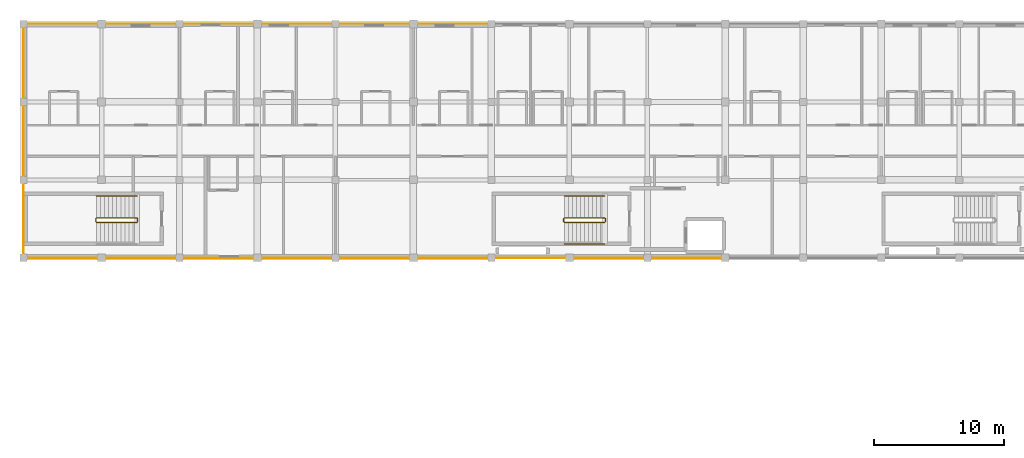
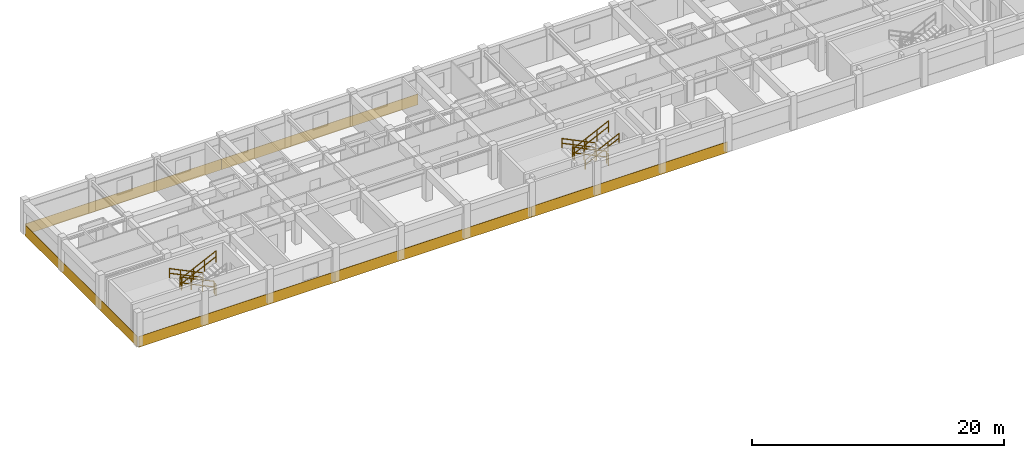
# One storey, part 19 of 21: 11 railings, 6 coverings.
"""IFC4 building model written with IfcOpenShell, lengths in metres."""

import ifcopenshell
import ifcopenshell.guid

model = None  # the IFC model being written
_history = None  # IfcOwnerHistory: only IFC2X3 demands one
_inside = {}  # id of a spatial element -> (the spatial element, [elements in it])
_under = {}  # id of a project, library or spatial element -> (it, [spatial elements below it])
_declared = {}  # id of a project -> (the project, [libraries it declares])
_typed = {}  # id of a type object -> (the type object, [elements of that type])
_made_of = {}  # id of a material, layer set ... -> (it, [elements and type objects made of it])


def new_model(schema):
    """Start an empty IFC model of exactly this schema.

    Asked for "IFC4X3", IfcOpenShell would pick the latest addendum, in which some entities
    have other attributes; the version numbers below select the first issue.
    IFC2X3 requires an IfcOwnerHistory on every rooted entity: one is made here for all.
    """
    global model, _history
    if schema == "IFC4X3":
        model = ifcopenshell.file(schema_version=(4, 3, 0, 0))
    else:
        model = ifcopenshell.file(schema=schema)
    _inside.clear()
    _under.clear()
    _declared.clear()
    _typed.clear()
    _made_of.clear()
    _history = None
    if model.schema == "IFC2X3":
        org = make("IfcOrganization", Name="unknown")
        user = make(
            "IfcPersonAndOrganization",
            ThePerson=make("IfcPerson", FamilyName="unknown"),
            TheOrganization=org,
        )
        app = make(
            "IfcApplication",
            ApplicationDeveloper=org,
            Version="unknown",
            ApplicationFullName="unknown",
            ApplicationIdentifier="unknown",
        )
        _history = make(
            "IfcOwnerHistory",
            OwningUser=user,
            OwningApplication=app,
            ChangeAction="ADDED",
            CreationDate=0,
        )
    return model


def make(cls, **values):
    """One entity of the class cls with the attributes given. An attribute that is None is left unset."""
    return model.create_entity(
        cls, **{name: value for name, value in values.items() if value is not None}
    )


def rooted(cls, **values):
    """An entity with a GlobalId (a new one), such as an element, a storey or a relation."""
    return make(cls, GlobalId=ifcopenshell.guid.new(), OwnerHistory=_history, **values)


def si_unit(unit_type, name, prefix=None):
    """IfcSIUnit, for example si_unit("LENGTHUNIT", "METRE", prefix="MILLI")."""
    return make("IfcSIUnit", UnitType=unit_type, Prefix=prefix, Name=name)


def assignment(units):
    """IfcUnitAssignment: the units of a project."""
    return None if units is None else make("IfcUnitAssignment", Units=units)


def point(xyz):
    """IfcCartesianPoint."""
    return None if xyz is None else make("IfcCartesianPoint", Coordinates=xyz)


def direction(xyz):
    """IfcDirection."""
    return None if xyz is None else make("IfcDirection", DirectionRatios=xyz)


def frame(location, z_axis=None, x_axis=None):
    """IfcAxis2Placement3D, a coordinate frame: its origin and axes. An axis left out is left unset."""
    return make(
        "IfcAxis2Placement3D",
        Location=point(location),
        Axis=direction(z_axis),
        RefDirection=direction(x_axis),
    )


def frame_2d(location, x_axis=None):
    """IfcAxis2Placement2D, a coordinate frame in the plane: its origin and x axis."""
    return make(
        "IfcAxis2Placement2D", Location=point(location), RefDirection=direction(x_axis)
    )


def origin():
    """The frame at (0, 0, 0) with its axes left unset."""
    return frame((0.0, 0.0, 0.0))


def origin_2d():
    """The frame at (0, 0) in the plane with its x axis left unset."""
    return frame_2d((0.0, 0.0))


def place(relative_to, where):
    """IfcLocalPlacement: puts the frame where relative to a parent placement (None: the world)."""
    return make(
        "IfcLocalPlacement", PlacementRelTo=relative_to, RelativePlacement=where
    )


def context(
    kind, dimensions, precision=None, world=None, true_north=None, identifier=None
):
    """IfcGeometricRepresentationContext, for example the 3D "Model" context."""
    return make(
        "IfcGeometricRepresentationContext",
        ContextIdentifier=identifier,
        ContextType=kind,
        CoordinateSpaceDimension=dimensions,
        Precision=precision,
        WorldCoordinateSystem=world,
        TrueNorth=true_north,
    )


def subcontext(parent, identifier, kind, view, scale=None):
    """IfcGeometricRepresentationSubContext, for example "Body" below "Model"."""
    return make(
        "IfcGeometricRepresentationSubContext",
        ContextIdentifier=identifier,
        ContextType=kind,
        ParentContext=parent,
        TargetScale=scale,
        TargetView=view,
    )


def project(units=None, contexts=None):
    """IfcProject with its units and contexts."""
    return rooted(
        "IfcProject",
        Name="project",
        RepresentationContexts=contexts,
        UnitsInContext=assignment(units),
    )


def spatial(cls, under=None, at=None, **own):
    """A site, building, storey or space (cls), placed at a placement, below another one or the project."""
    s = rooted(cls, ObjectPlacement=at, **own)
    if under is not None:
        _under.setdefault(under.id(), (under, []))[1].append(s)
    return s


def polyline(points):
    """IfcPolyline through the points."""
    return make("IfcPolyline", Points=[point(p) for p in points])


def profile(cls, at=None, kind="AREA", **sizes):
    """A parametric profile (cls). Its sizes go by their IFC names, for example OverallWidth=200.0."""
    return make(cls, ProfileType=kind, Position=at, **sizes)


def circle(**sizes):
    """IfcCircleProfileDef."""
    return profile("IfcCircleProfileDef", **sizes)


def outline(outer, holes=None, kind="AREA"):
    """IfcArbitraryClosedProfileDef: a profile drawn as a closed curve; with holes, ...WithVoids."""
    if holes is None:
        return make("IfcArbitraryClosedProfileDef", ProfileType=kind, OuterCurve=outer)
    return make(
        "IfcArbitraryProfileDefWithVoids",
        ProfileType=kind,
        OuterCurve=outer,
        InnerCurves=holes,
    )


def extrude(swept, where, along, depth):
    """IfcExtrudedAreaSolid: the profile swept, set in the frame where, extruded along a direction by depth."""
    return make(
        "IfcExtrudedAreaSolid",
        SweptArea=swept,
        Position=where,
        ExtrudedDirection=direction(along),
        Depth=depth,
    )


def shape(context_of_items, identifier, shape_type, items):
    """IfcShapeRepresentation: the items that make up one representation, for example the "Body"."""
    return make(
        "IfcShapeRepresentation",
        ContextOfItems=context_of_items,
        RepresentationIdentifier=identifier,
        RepresentationType=shape_type,
        Items=items,
    )


def material(Name=None, Category=None):
    """IfcMaterial."""
    return make("IfcMaterial", Name=Name, Category=Category)


def layer(
    of_material, thickness, ventilated=None, Name=None, Category=None, Priority=None
):
    """IfcMaterialLayer: one layer of a wall or slab, of a material (None: an air gap)."""
    return make(
        "IfcMaterialLayer",
        Material=of_material,
        LayerThickness=thickness,
        IsVentilated=ventilated,
        Name=Name,
        Category=Category,
        Priority=Priority,
    )


def layer_set(layers, Name=None):
    """IfcMaterialLayerSet."""
    return make("IfcMaterialLayerSet", MaterialLayers=layers, LayerSetName=Name)


def made_of(thing, what):
    """Note that an element or type object is made of a material, layer set ...; save() writes the relation."""
    if what is not None:
        _made_of.setdefault(what.id(), (what, []))[1].append(thing)
    return thing


def type_object(cls, material=None, **own):
    """A type object (cls), such as IfcWallType, which elements share."""
    return made_of(rooted(cls, **own), material)


def element(
    cls,
    number,
    at=None,
    inside=None,
    cuts=None,
    type_object=None,
    material=None,
    context=None,
    identifier="Body",
    shape_type=None,
    held_by="IfcProductDefinitionShape",
    body=None,
    shapes=None,
    **own,
):
    """One element of the class cls, such as IfcWall. Its Tag is "e" and its number.

    at: its placement. inside: the storey or other place that contains it. cuts: it is an
    opening in that element (IfcRelVoidsElement). A single representation is given by context,
    identifier, shape_type and body (its items); several are given by shapes. held_by: the class
    of the entity that holds the representations. save() writes the other relations.
    """
    e = rooted(cls, Tag="e%d" % number, ObjectPlacement=at, **own)
    if body is not None:
        shapes = [shape(context, identifier, shape_type, body)]
    if shapes is not None:
        e.Representation = make(held_by, Representations=shapes)
    if inside is not None:
        _inside.setdefault(inside.id(), (inside, []))[1].append(e)
    if cuts is not None:
        rooted(
            "IfcRelVoidsElement", RelatingBuildingElement=cuts, RelatedOpeningElement=e
        )
    if type_object is not None:
        _typed.setdefault(type_object.id(), (type_object, []))[1].append(e)
    return made_of(e, material)


def aggregate(whole, parts):
    """IfcRelAggregates: a whole, such as a stair, and the parts it consists of."""
    return rooted("IfcRelAggregates", RelatingObject=whole, RelatedObjects=parts)


def save(model, path):
    """Write the relations noted so far, then the file.

    IfcRelAggregates (storeys below a building ...), IfcRelContainedInSpatialStructure (elements
    in a storey), IfcRelDefinesByType, IfcRelAssociatesMaterial and IfcRelDeclares: one each for
    every whole, place, type object, material and project.
    """
    for whole, parts in _under.values():
        aggregate(whole, parts)
    for where, things in _inside.values():
        rooted(
            "IfcRelContainedInSpatialStructure",
            RelatedElements=things,
            RelatingStructure=where,
        )
    for kind, things in _typed.values():
        rooted("IfcRelDefinesByType", RelatedObjects=things, RelatingType=kind)
    for what, things in _made_of.values():
        rooted("IfcRelAssociatesMaterial", RelatedObjects=things, RelatingMaterial=what)
    for by, libraries in _declared.values():
        rooted("IfcRelDeclares", RelatingContext=by, RelatedDefinitions=libraries)
    model.write(path)


model = new_model("IFC4")

# Units and contexts
model_context = context("Model", 3, precision=1e-05, world=origin(), true_north=direction((0.0, 1.0)))
body_context = subcontext(model_context, "Body", "Model", "MODEL_VIEW")
ifc_project = project(units=[si_unit("LENGTHUNIT", "METRE"), si_unit("AREAUNIT", "SQUARE_METRE"), si_unit("VOLUMEUNIT", "CUBIC_METRE"), si_unit("PLANEANGLEUNIT", "RADIAN"), si_unit("MASSUNIT", "GRAM", prefix="KILO"), si_unit("THERMODYNAMICTEMPERATUREUNIT", "KELVIN"), si_unit("POWERUNIT", "WATT")], contexts=[model_context])

# Site, building, storey
site_placement = place(None, origin())
site = spatial("IfcSite", under=ifc_project, at=site_placement, CompositionType="ELEMENT")
building_placement = place(site_placement, origin())
building = spatial("IfcBuilding", under=site, at=building_placement, Name="Phaisarnlok Congress Hotel", CompositionType="ELEMENT")
storey_placement = place(building_placement, frame((0.0, 0.0, 31.5)))
storey = spatial("IfcBuildingStorey", under=building, at=storey_placement, Name="L07", CompositionType="ELEMENT", Elevation=31.5)

# Coverings
ifc_material_1 = material(Name="Anodised Silver Aluminium Alloy 6063-T6", Category="aluminium")
ifc_layer = layer(ifc_material_1, 0.031982421875, Name="Anodised Silver Aluminium Alloy 6063-T6")
ifc_layer_set = layer_set([ifc_layer], Name="Anodised Silver Aluminium Alloy 6063-T6")
covering_type = type_object("IfcCoveringType", Name="COV-SPAND-ALU", PredefinedType="CLADDING", material=ifc_layer_set)
for number, where, z_axis, x_axis, name in (
    (1, (84.06005859375, 125.9951171875, -0.280029296875), (0.0, 1.0, 0.0), (-1.0, 0.0, 0.0), "Swiss minimalist anodised silver rainscreen band CL-02 (L07 N)"),
    (2, (102.06005859375, 125.9951171875, -0.280029296875), (0.0, 1.0, 0.0), (-1.0, 0.0, 0.0), "Swiss minimalist anodised silver rainscreen band CL-02 (L07 N)"),
    (3, (66.06005859375, 108.0048828125, -0.280029296875), (0.0, -1.0, 0.0), (1.0, 0.0, 0.0), "Swiss minimalist anodised silver rainscreen band CL-02 (L07 S)"),
    (4, (84.06005859375, 108.0048828125, -0.280029296875), (0.0, -1.0, 0.0), (1.0, 0.0, 0.0), "Swiss minimalist anodised silver rainscreen band CL-02 (L07 S)"),
    (5, (102.06005859375, 108.0048828125, -0.280029296875), (0.0, -1.0, 0.0), (1.0, 0.0, 0.0), "Swiss minimalist anodised silver rainscreen band CL-02 (L07 S)"),
):
    element("IfcCovering", number, at=place(storey_placement, frame(where, z_axis=z_axis, x_axis=x_axis)), inside=storey, type_object=covering_type, Name=name, PredefinedType="CLADDING", context=body_context, shape_type="SweptSolid", body=[
        extrude(outline(polyline([(0.0, 0.0), (18.0, 0.0), (18.0, 1.050048828125), (0.0, 1.050048828125), (0.0, 0.0)])), origin(), (0.0, 0.0, 1.0), 0.031982421875),
    ])
covering_placement = place(storey_placement, frame((66.0048828125, 125.93994140625, -0.280029296875), z_axis=(-1.0, 0.0, 0.0), x_axis=(0.0, -1.0, 0.0)))
element("IfcCovering", 6, at=covering_placement, inside=storey, type_object=covering_type, Name="Swiss minimalist anodised silver rainscreen band CL-02 (L07 WG)", PredefinedType="CLADDING", context=body_context, shape_type="SweptSolid", body=[
    extrude(outline(polyline([(0.0, 0.0), (17.8798828125, 0.0), (17.8798828125, 1.050048828125), (0.0, 1.050048828125), (0.0, 0.0)])), origin(), (0.0, 0.0, 1.0), 0.031982421875),
])

# Railings
ifc_material_2 = material(Name="Painted Galvanised Steel S275", Category="steel")
railing_type_1 = type_object("IfcRailingType", Name="RLG-STR-GUARD", PredefinedType="BALUSTRADE", material=ifc_material_2)
railing_1_placement = place(storey_placement, frame((110.719970703125, 111.070068359375, 0.14990234375)))
element("IfcRailing", 7, at=railing_1_placement, inside=storey, type_object=railing_type_1, Name="L07 ST-07 stair guard 1", PredefinedType="BALUSTRADE", context=body_context, shape_type="SweptSolid", body=[
    extrude(circle(Radius=0.02392578125, at=origin_2d()), frame((0.0, 0.0, 1.076171875), z_axis=(-0.900151181449, 0.0, 0.435577605641), x_axis=(0.0, -1.0, 0.0)), (0.0, 0.0, 1.0), 3.443603515625),
    extrude(circle(Radius=0.02392578125, at=origin_2d()), frame((0.0, 0.0, 0.52587890625), z_axis=(-0.900151181449, 0.0, 0.435577605641), x_axis=(0.0, -1.0, 0.0)), (0.0, 0.0, 1.0), 3.443603515625),
    extrude(circle(Radius=0.02099609375, at=origin_2d()), origin(), (0.0, 0.0, 1.0), 1.052001953125),
    extrude(circle(Radius=0.02099609375, at=origin_2d()), frame((-1.033203125, 0.0, 0.5)), (0.0, 0.0, 1.0), 1.052001953125),
    extrude(circle(Radius=0.02099609375, at=origin_2d()), frame((-2.066650390625, 0.0, 1.0)), (0.0, 0.0, 1.0), 1.052001953125),
    extrude(circle(Radius=0.02099609375, at=origin_2d()), frame((-3.099853515625, 0.0, 1.5)), (0.0, 0.0, 1.0), 1.052001953125),
])
railing_2_placement = place(storey_placement, frame((107.570068359375, 111.02001953125, 1.64990234375)))
element("IfcRailing", 8, at=railing_2_placement, inside=storey, type_object=railing_type_1, Name="L07 ST-07 stair guard 2", PredefinedType="BALUSTRADE", context=body_context, shape_type="SweptSolid", body=[
    extrude(circle(Radius=0.02392578125, at=origin_2d()), frame((0.0, 0.0, 1.076171875), z_axis=(0.0, -1.0, 0.0), x_axis=(1.0, 0.0, 0.0)), (0.0, 0.0, 1.0), 0.239990234375),
    extrude(circle(Radius=0.02392578125, at=origin_2d()), frame((0.0, 0.0, 0.52587890625), z_axis=(0.0, -1.0, 0.0), x_axis=(1.0, 0.0, 0.0)), (0.0, 0.0, 1.0), 0.239990234375),
    extrude(circle(Radius=0.02099609375, at=origin_2d()), origin(), (0.0, 0.0, 1.0), 1.052001953125),
    extrude(circle(Radius=0.02099609375, at=origin_2d()), frame((0.0, -0.239990234375, 0.0)), (0.0, 0.0, 1.0), 1.052001953125),
])
railing_3_placement = place(storey_placement, frame((107.6201171875, 110.72998046875, 1.800048828125)))
element("IfcRailing", 9, at=railing_3_placement, inside=storey, type_object=railing_type_1, Name="L07 ST-07 stair guard 3", PredefinedType="BALUSTRADE", context=body_context, shape_type="SweptSolid", body=[
    extrude(circle(Radius=0.02392578125, at=origin_2d()), frame((0.0, 0.0, 1.076171875), z_axis=(0.900151181449, 0.0, 0.435577605641), x_axis=(0.0, 1.0, 0.0)), (0.0, 0.0, 1.0), 3.443603515625),
    extrude(circle(Radius=0.02392578125, at=origin_2d()), frame((0.0, 0.0, 0.52587890625), z_axis=(0.900151181449, 0.0, 0.435577605641), x_axis=(0.0, 1.0, 0.0)), (0.0, 0.0, 1.0), 3.443603515625),
    extrude(circle(Radius=0.02099609375, at=origin_2d()), origin(), (0.0, 0.0, 1.0), 1.052001953125),
    extrude(circle(Radius=0.02099609375, at=origin_2d()), frame((1.033203125, 0.0, 0.5)), (0.0, 0.0, 1.0), 1.052001953125),
    extrude(circle(Radius=0.02099609375, at=origin_2d()), frame((2.066650390625, 0.0, 1.0)), (0.0, 0.0, 1.0), 1.052001953125),
    extrude(circle(Radius=0.02099609375, at=origin_2d()), frame((3.099853515625, 0.0, 1.5)), (0.0, 0.0, 1.0), 1.052001953125),
])
railing_4_placement = place(storey_placement, frame((110.77001953125, 111.02001953125, 0.0)))
element("IfcRailing", 10, at=railing_4_placement, inside=storey, type_object=railing_type_1, Name="L07 ST-07 stair guard 4", PredefinedType="BALUSTRADE", context=body_context, shape_type="SweptSolid", body=[
    extrude(circle(Radius=0.02392578125, at=origin_2d()), frame((0.0, 0.0, 1.076171875), z_axis=(0.0, -1.0, 0.0), x_axis=(1.0, 0.0, 0.0)), (0.0, 0.0, 1.0), 0.239990234375),
    extrude(circle(Radius=0.02392578125, at=origin_2d()), frame((0.0, 0.0, 0.52587890625), z_axis=(0.0, -1.0, 0.0), x_axis=(1.0, 0.0, 0.0)), (0.0, 0.0, 1.0), 0.239990234375),
    extrude(circle(Radius=0.02099609375, at=origin_2d()), origin(), (0.0, 0.0, 1.0), 1.052001953125),
    extrude(circle(Radius=0.02099609375, at=origin_2d()), frame((0.0, -0.239990234375, 0.0)), (0.0, 0.0, 1.0), 1.052001953125),
])
railing_5_placement = place(storey_placement, frame((74.719970703125, 111.070068359375, 0.14990234375)))
element("IfcRailing", 11, at=railing_5_placement, inside=storey, type_object=railing_type_1, Name="L07 ST-10 stair guard 1", PredefinedType="BALUSTRADE", context=body_context, shape_type="SweptSolid", body=[
    extrude(circle(Radius=0.02392578125, at=origin_2d()), frame((0.0, 0.0, 1.076171875), z_axis=(-0.900151181449, 0.0, 0.435577605641), x_axis=(0.0, -1.0, 0.0)), (0.0, 0.0, 1.0), 3.443603515625),
    extrude(circle(Radius=0.02392578125, at=origin_2d()), frame((0.0, 0.0, 0.52587890625), z_axis=(-0.900151181449, 0.0, 0.435577605641), x_axis=(0.0, -1.0, 0.0)), (0.0, 0.0, 1.0), 3.443603515625),
    extrude(circle(Radius=0.02099609375, at=origin_2d()), origin(), (0.0, 0.0, 1.0), 1.052001953125),
    extrude(circle(Radius=0.02099609375, at=origin_2d()), frame((-1.033203125, 0.0, 0.5)), (0.0, 0.0, 1.0), 1.052001953125),
    extrude(circle(Radius=0.02099609375, at=origin_2d()), frame((-2.066650390625, 0.0, 1.0)), (0.0, 0.0, 1.0), 1.052001953125),
    extrude(circle(Radius=0.02099609375, at=origin_2d()), frame((-3.099853515625, 0.0, 1.5)), (0.0, 0.0, 1.0), 1.052001953125),
])
railing_6_placement = place(storey_placement, frame((71.570068359375, 111.02001953125, 1.64990234375)))
element("IfcRailing", 12, at=railing_6_placement, inside=storey, type_object=railing_type_1, Name="L07 ST-10 stair guard 2", PredefinedType="BALUSTRADE", context=body_context, shape_type="SweptSolid", body=[
    extrude(circle(Radius=0.02392578125, at=origin_2d()), frame((0.0, 0.0, 1.076171875), z_axis=(0.0, -1.0, 0.0), x_axis=(1.0, 0.0, 0.0)), (0.0, 0.0, 1.0), 0.239990234375),
    extrude(circle(Radius=0.02392578125, at=origin_2d()), frame((0.0, 0.0, 0.52587890625), z_axis=(0.0, -1.0, 0.0), x_axis=(1.0, 0.0, 0.0)), (0.0, 0.0, 1.0), 0.239990234375),
    extrude(circle(Radius=0.02099609375, at=origin_2d()), origin(), (0.0, 0.0, 1.0), 1.052001953125),
    extrude(circle(Radius=0.02099609375, at=origin_2d()), frame((0.0, -0.239990234375, 0.0)), (0.0, 0.0, 1.0), 1.052001953125),
])
railing_7_placement = place(storey_placement, frame((71.6201171875, 110.72998046875, 1.800048828125)))
element("IfcRailing", 13, at=railing_7_placement, inside=storey, type_object=railing_type_1, Name="L07 ST-10 stair guard 3", PredefinedType="BALUSTRADE", context=body_context, shape_type="SweptSolid", body=[
    extrude(circle(Radius=0.02392578125, at=origin_2d()), frame((0.0, 0.0, 1.076171875), z_axis=(0.900151181449, 0.0, 0.435577605641), x_axis=(0.0, 1.0, 0.0)), (0.0, 0.0, 1.0), 3.443603515625),
    extrude(circle(Radius=0.02392578125, at=origin_2d()), frame((0.0, 0.0, 0.52587890625), z_axis=(0.900151181449, 0.0, 0.435577605641), x_axis=(0.0, 1.0, 0.0)), (0.0, 0.0, 1.0), 3.443603515625),
    extrude(circle(Radius=0.02099609375, at=origin_2d()), origin(), (0.0, 0.0, 1.0), 1.052001953125),
    extrude(circle(Radius=0.02099609375, at=origin_2d()), frame((1.033203125, 0.0, 0.5)), (0.0, 0.0, 1.0), 1.052001953125),
    extrude(circle(Radius=0.02099609375, at=origin_2d()), frame((2.066650390625, 0.0, 1.0)), (0.0, 0.0, 1.0), 1.052001953125),
    extrude(circle(Radius=0.02099609375, at=origin_2d()), frame((3.099853515625, 0.0, 1.5)), (0.0, 0.0, 1.0), 1.052001953125),
])
railing_8_placement = place(storey_placement, frame((74.77001953125, 111.02001953125, 0.0)))
element("IfcRailing", 14, at=railing_8_placement, inside=storey, type_object=railing_type_1, Name="L07 ST-10 stair guard 4", PredefinedType="BALUSTRADE", context=body_context, shape_type="SweptSolid", body=[
    extrude(circle(Radius=0.02392578125, at=origin_2d()), frame((0.0, 0.0, 1.076171875), z_axis=(0.0, -1.0, 0.0), x_axis=(1.0, 0.0, 0.0)), (0.0, 0.0, 1.0), 0.239990234375),
    extrude(circle(Radius=0.02392578125, at=origin_2d()), frame((0.0, 0.0, 0.52587890625), z_axis=(0.0, -1.0, 0.0), x_axis=(1.0, 0.0, 0.0)), (0.0, 0.0, 1.0), 0.239990234375),
    extrude(circle(Radius=0.02099609375, at=origin_2d()), origin(), (0.0, 0.0, 1.0), 1.052001953125),
    extrude(circle(Radius=0.02099609375, at=origin_2d()), frame((0.0, -0.239990234375, 0.0)), (0.0, 0.0, 1.0), 1.052001953125),
])
ifc_material_3 = material(Name="Brushed Stainless Steel Grade 304", Category="steel")
railing_type_2 = type_object("IfcRailingType", Name="RLG-STR-HRAIL", PredefinedType="HANDRAIL", material=ifc_material_3)
railing_9_placement = place(storey_placement, frame((110.719970703125, 112.75, 0.14990234375)))
element("IfcRailing", 15, at=railing_9_placement, inside=storey, type_object=railing_type_2, Name="L07 ST-07 stair handrail 1", PredefinedType="HANDRAIL", context=body_context, shape_type="SweptSolid", body=[
    extrude(circle(Radius=0.02392578125, at=origin_2d()), frame((0.0, 0.0, 0.8759765625), z_axis=(-0.900151181449, 0.0, 0.435577605641), x_axis=(0.0, -1.0, 0.0)), (0.0, 0.0, 1.0), 3.443603515625),
    extrude(circle(Radius=0.02392578125, at=origin_2d()), frame((0.0, 0.0, 0.42578125), z_axis=(-0.900151181449, 0.0, 0.435577605641), x_axis=(0.0, -1.0, 0.0)), (0.0, 0.0, 1.0), 3.443603515625),
    extrude(circle(Radius=0.02099609375, at=origin_2d()), origin(), (0.0, 0.0, 1.0), 0.851806640625),
    extrude(circle(Radius=0.02099609375, at=origin_2d()), frame((-1.033203125, 0.0, 0.5)), (0.0, 0.0, 1.0), 0.851806640625),
    extrude(circle(Radius=0.02099609375, at=origin_2d()), frame((-2.066650390625, 0.0, 1.0)), (0.0, 0.0, 1.0), 0.851806640625),
    extrude(circle(Radius=0.02099609375, at=origin_2d()), frame((-3.099853515625, 0.0, 1.5)), (0.0, 0.0, 1.0), 0.851806640625),
])
railing_10_placement = place(storey_placement, frame((107.6201171875, 109.050048828125, 1.800048828125)))
element("IfcRailing", 16, at=railing_10_placement, inside=storey, type_object=railing_type_2, Name="L07 ST-07 stair handrail 2", PredefinedType="HANDRAIL", context=body_context, shape_type="SweptSolid", body=[
    extrude(circle(Radius=0.02392578125, at=origin_2d()), frame((0.0, 0.0, 0.8759765625), z_axis=(0.900151181449, 0.0, 0.435577605641), x_axis=(0.0, 1.0, 0.0)), (0.0, 0.0, 1.0), 3.443603515625),
    extrude(circle(Radius=0.02392578125, at=origin_2d()), frame((0.0, 0.0, 0.42578125), z_axis=(0.900151181449, 0.0, 0.435577605641), x_axis=(0.0, 1.0, 0.0)), (0.0, 0.0, 1.0), 3.443603515625),
    extrude(circle(Radius=0.02099609375, at=origin_2d()), origin(), (0.0, 0.0, 1.0), 0.851806640625),
    extrude(circle(Radius=0.02099609375, at=origin_2d()), frame((1.033203125, 0.0, 0.5)), (0.0, 0.0, 1.0), 0.851806640625),
    extrude(circle(Radius=0.02099609375, at=origin_2d()), frame((2.066650390625, 0.0, 1.0)), (0.0, 0.0, 1.0), 0.851806640625),
    extrude(circle(Radius=0.02099609375, at=origin_2d()), frame((3.099853515625, 0.0, 1.5)), (0.0, 0.0, 1.0), 0.851806640625),
])
railing_11_placement = place(storey_placement, frame((74.719970703125, 112.75, 0.14990234375)))
element("IfcRailing", 17, at=railing_11_placement, inside=storey, type_object=railing_type_2, Name="L07 ST-10 stair handrail 1", PredefinedType="HANDRAIL", context=body_context, shape_type="SweptSolid", body=[
    extrude(circle(Radius=0.02392578125, at=origin_2d()), frame((0.0, 0.0, 0.8759765625), z_axis=(-0.900151181449, 0.0, 0.435577605641), x_axis=(0.0, -1.0, 0.0)), (0.0, 0.0, 1.0), 3.443603515625),
    extrude(circle(Radius=0.02392578125, at=origin_2d()), frame((0.0, 0.0, 0.42578125), z_axis=(-0.900151181449, 0.0, 0.435577605641), x_axis=(0.0, -1.0, 0.0)), (0.0, 0.0, 1.0), 3.443603515625),
    extrude(circle(Radius=0.02099609375, at=origin_2d()), origin(), (0.0, 0.0, 1.0), 0.851806640625),
    extrude(circle(Radius=0.02099609375, at=origin_2d()), frame((-1.033203125, 0.0, 0.5)), (0.0, 0.0, 1.0), 0.851806640625),
    extrude(circle(Radius=0.02099609375, at=origin_2d()), frame((-2.066650390625, 0.0, 1.0)), (0.0, 0.0, 1.0), 0.851806640625),
    extrude(circle(Radius=0.02099609375, at=origin_2d()), frame((-3.099853515625, 0.0, 1.5)), (0.0, 0.0, 1.0), 0.851806640625),
])

save(model, "model.ifc")
